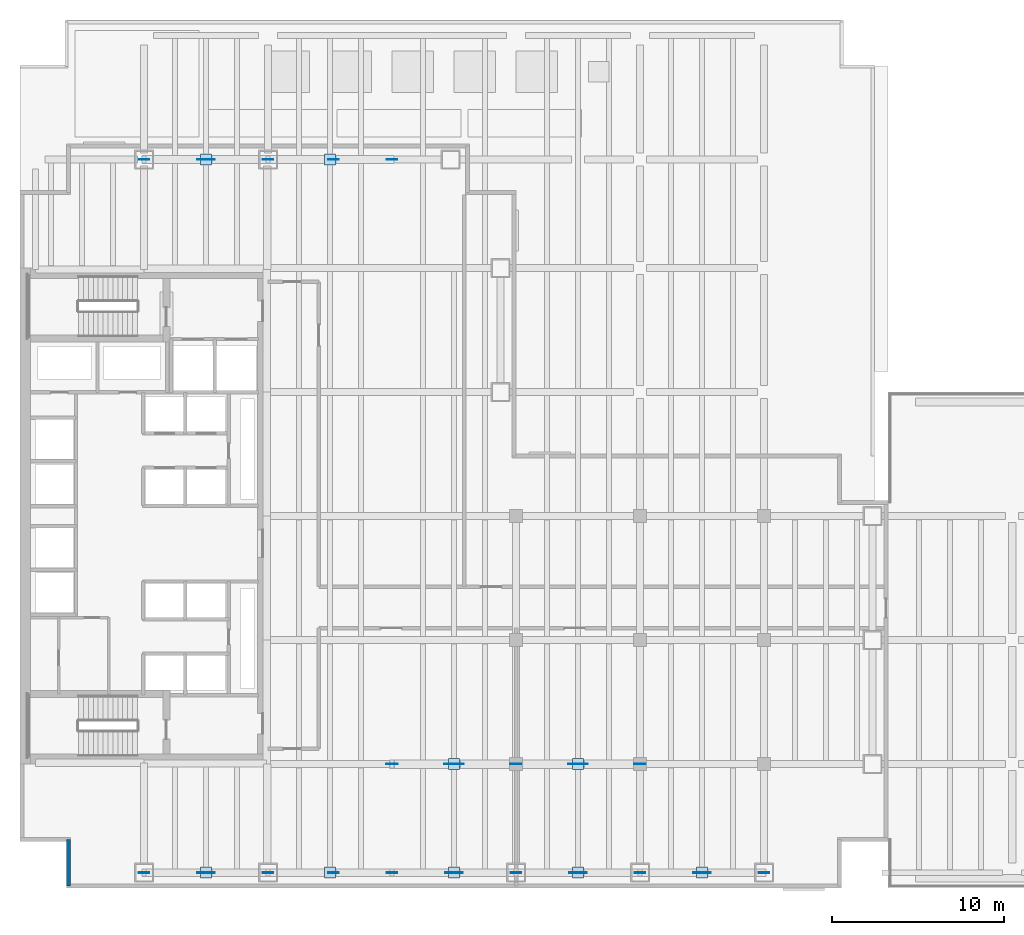
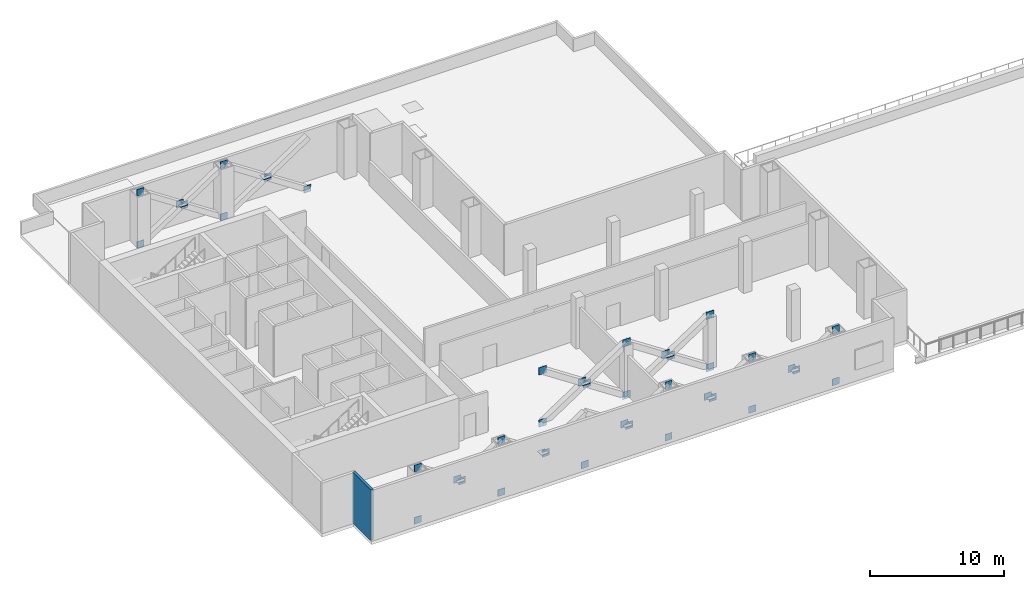
# One storey, part 6 of 12: 47 plates, 1 wall.
"""IFC4 building model written with IfcOpenShell, lengths in metres."""

from ifc_helpers import new_model, si_unit, direction, frame, frame_2d, origin, origin_2d, place, context, subcontext, project, spatial, rectangle, extrude, material, layer, layer_set, type_object, element, save


model = new_model("IFC4")

# Units and contexts
model_context = context("Model", 3, precision=1e-05, world=origin(), true_north=direction((0.0, 1.0)))
body_context = subcontext(model_context, "Body", "Model", "MODEL_VIEW")
ifc_project = project(units=[si_unit("LENGTHUNIT", "METRE"), si_unit("AREAUNIT", "SQUARE_METRE"), si_unit("VOLUMEUNIT", "CUBIC_METRE"), si_unit("PLANEANGLEUNIT", "RADIAN"), si_unit("MASSUNIT", "GRAM", prefix="KILO")], contexts=[model_context])

# Site, building, storey
site_placement = place(None, origin())
site = spatial("IfcSite", under=ifc_project, at=site_placement, CompositionType="ELEMENT")
building_placement = place(site_placement, origin())
building = spatial("IfcBuilding", under=site, at=building_placement, Name="Cobrela Telecom Tower", CompositionType="ELEMENT")
storey_placement = place(building_placement, frame((0.0, 0.0, 26.25)))
storey = spatial("IfcBuildingStorey", under=building, at=storey_placement, Name="L06", CompositionType="ELEMENT", Elevation=26.25)

# Plates
ifc_material_1 = material(Name="Steel ASTM A572 Grade 50", Category="steel")
ifc_layer_1 = layer(ifc_material_1, 0.0419921875)
ifc_layer_set_1 = layer_set([ifc_layer_1], Name="Steel ASTM A572 Grade 50")
plate_type_1 = type_object("IfcPlateType", Name="PLT-NODE-ND6", PredefinedType="USERDEFINED", material=ifc_layer_set_1)
for number, where, z_axis, x_axis, name in (
    (1, (21.60009765625, 7.199951171875, -0.4697265625), (0.0, 0.0, 1.0), (1.0, 0.0, 0.0), "Steel node plate PLT-MBR-OUT-L06-01-A-0"),
    (2, (28.800048828125, 7.199951171875, 4.2900390625), (0.0, 0.0, 1.0), (1.0, 0.0, 0.0), "Steel node plate PLT-MBR-OUT-L06-01-A-1"),
    (3, (28.800048828125, 7.199951171875, -0.4697265625), (0.0, 0.0, 1.0), (-1.0, 0.0, 0.0), "Steel node plate PLT-MBR-OUT-L06-01-B1-0"),
    (4, (25.43359375, 7.199951171875, 1.755859375), (0.0, 0.0, 1.0), (-1.0, 0.0, 0.0), "Steel node plate PLT-MBR-OUT-L06-01-B1-1"),
    (5, (24.96630859375, 7.199951171875, 2.064453125), (0.0, 0.0, 1.0), (-1.0, 0.0, 0.0), "Steel node plate PLT-MBR-OUT-L06-01-B2-0"),
    (6, (21.60009765625, 7.199951171875, 4.2900390625), (0.0, 0.0, 1.0), (-1.0, 0.0, 0.0), "Steel node plate PLT-MBR-OUT-L06-01-B2-1"),
):
    element("IfcPlate", number, at=place(storey_placement, frame(where, z_axis=z_axis, x_axis=x_axis)), inside=storey, type_object=plate_type_1, Name=name, ObjectType="GUSSET PLATE", PredefinedType="USERDEFINED", context=body_context, shape_type="SweptSolid", body=[
        extrude(rectangle(XDim=0.659912109375, YDim=0.044921875, at=origin_2d()), origin(), (0.0, 0.0, 1.0), 0.659912109375),
    ])
plate_1_placement = place(storey_placement, frame((25.199951171875, 7.199951171875, 2.217529296875), z_axis=(0.0, 0.0, 1.0), x_axis=(1.0, 0.0, 0.0)))
element("IfcPlate", 7, at=plate_1_placement, inside=storey, type_object=plate_type_1, Name="L06 Outrigger Truss Brace 01 Central X-Crossing Gusset Plate", ObjectType="GUSSET PLATE", PredefinedType="USERDEFINED", context=body_context, shape_type="SweptSolid", body=[
    extrude(rectangle(XDim=0.64990234375, YDim=0.64990234375, at=origin_2d()), origin(), (0.0, 0.0, 1.0), 0.044921875),
])
for number, where, z_axis, x_axis, name in (
    (8, (36.0, 7.199951171875, 4.2900390625), (0.0, 0.0, 1.0), (1.0, 0.0, 0.0), "Steel node plate PLT-MBR-OUT-L06-02-A-1"),
    (9, (36.0, 7.199951171875, -0.4697265625), (0.0, 0.0, 1.0), (-1.0, 0.0, 0.0), "Steel node plate PLT-MBR-OUT-L06-02-B1-0"),
    (10, (32.633544921875, 7.199951171875, 1.755859375), (0.0, 0.0, 1.0), (-1.0, 0.0, 0.0), "Steel node plate PLT-MBR-OUT-L06-02-B1-1"),
    (11, (32.16650390625, 7.199951171875, 2.064453125), (0.0, 0.0, 1.0), (-1.0, 0.0, 0.0), "Steel node plate PLT-MBR-OUT-L06-02-B2-0"),
):
    element("IfcPlate", number, at=place(storey_placement, frame(where, z_axis=z_axis, x_axis=x_axis)), inside=storey, type_object=plate_type_1, Name=name, ObjectType="GUSSET PLATE", PredefinedType="USERDEFINED", context=body_context, shape_type="SweptSolid", body=[
        extrude(rectangle(XDim=0.659912109375, YDim=0.044921875, at=origin_2d()), origin(), (0.0, 0.0, 1.0), 0.659912109375),
    ])
plate_2_placement = place(storey_placement, frame((32.39990234375, 7.199951171875, 2.217529296875), z_axis=(0.0, 0.0, 1.0), x_axis=(1.0, 0.0, 0.0)))
element("IfcPlate", 12, at=plate_2_placement, inside=storey, type_object=plate_type_1, Name="L06 Outrigger Truss Brace 02 Central X-Crossing Gusset Plate", ObjectType="GUSSET PLATE", PredefinedType="USERDEFINED", context=body_context, shape_type="SweptSolid", body=[
    extrude(rectangle(XDim=0.64990234375, YDim=0.64990234375, at=origin_2d()), origin(), (0.0, 0.0, 1.0), 0.044921875),
])
ifc_layer_2 = layer(ifc_material_1, 0.0439453125)
ifc_layer_set_2 = layer_set([ifc_layer_2], Name="Steel ASTM A572 Grade 50")
plate_type_2 = type_object("IfcPlateType", Name="PLT-NODE-ND7", PredefinedType="USERDEFINED", material=ifc_layer_set_2)
for number, where, z_axis, x_axis, name in (
    (13, (7.199951171875, 0.89990234375, -0.44482421875), (0.0, 0.0, 1.0), (1.0, 0.0, 0.0), "Steel node plate PLT-MBR-BELT-L06-S03-A-0"),
    (14, (14.39990234375, 0.89990234375, 4.31494140625), (0.0, 0.0, 1.0), (1.0, 0.0, 0.0), "Steel node plate PLT-MBR-BELT-L06-S03-A-1"),
    (15, (14.39990234375, 0.89990234375, -0.44482421875), (0.0, 0.0, 1.0), (-1.0, 0.0, 0.0), "Steel node plate PLT-MBR-BELT-L06-S03-B1-0"),
    (16, (11.01025390625, 0.89990234375, 1.7958984375), (0.0, 0.0, 1.0), (-1.0, 0.0, 0.0), "Steel node plate PLT-MBR-BELT-L06-S03-B1-1"),
    (17, (10.58984375, 0.89990234375, 2.07373046875), (0.0, 0.0, 1.0), (-1.0, 0.0, 0.0), "Steel node plate PLT-MBR-BELT-L06-S03-B2-0"),
    (18, (7.199951171875, 0.89990234375, 4.31494140625), (0.0, 0.0, 1.0), (-1.0, 0.0, 0.0), "Steel node plate PLT-MBR-BELT-L06-S03-B2-1"),
):
    element("IfcPlate", number, at=place(storey_placement, frame(where, z_axis=z_axis, x_axis=x_axis)), inside=storey, type_object=plate_type_2, Name=name, ObjectType="GUSSET PLATE", PredefinedType="USERDEFINED", context=body_context, shape_type="SweptSolid", body=[
        extrude(rectangle(XDim=0.610107421875, YDim=0.044921875, at=origin_2d()), origin(), (0.0, 0.0, 1.0), 0.610107421875),
    ])
plate_3_placement = place(storey_placement, frame((10.800048828125, 0.89990234375, 2.217529296875), z_axis=(0.0, 0.0, 1.0), x_axis=(1.0, 0.0, 0.0)))
element("IfcPlate", 19, at=plate_3_placement, inside=storey, type_object=plate_type_2, Name="L06 South Perimeter Belt Truss Brace 03 Central X-Crossing Gusset Plate", ObjectType="GUSSET PLATE", PredefinedType="USERDEFINED", context=body_context, shape_type="SweptSolid", body=[
    extrude(rectangle(XDim=0.64990234375, YDim=0.64990234375, at=origin_2d()), origin(), (0.0, 0.0, 1.0), 0.044921875),
])
for number, where, z_axis, x_axis, name in (
    (20, (21.60009765625, 0.89990234375, -0.44482421875), (0.0, 0.0, 1.0), (-1.0, 0.0, 0.0), "Steel node plate PLT-MBR-BELT-L06-S04-B1-0"),
    (21, (18.210205078125, 0.89990234375, 1.7958984375), (0.0, 0.0, 1.0), (-1.0, 0.0, 0.0), "Steel node plate PLT-MBR-BELT-L06-S04-B1-1"),
):
    element("IfcPlate", number, at=place(storey_placement, frame(where, z_axis=z_axis, x_axis=x_axis)), inside=storey, type_object=plate_type_2, Name=name, ObjectType="GUSSET PLATE", PredefinedType="USERDEFINED", context=body_context, shape_type="SweptSolid", body=[
        extrude(rectangle(XDim=0.610107421875, YDim=0.044921875, at=origin_2d()), origin(), (0.0, 0.0, 1.0), 0.610107421875),
    ])
plate_4_placement = place(storey_placement, frame((18.0, 0.89990234375, 2.217529296875), z_axis=(0.0, 0.0, 1.0), x_axis=(1.0, 0.0, 0.0)))
element("IfcPlate", 22, at=plate_4_placement, inside=storey, type_object=plate_type_2, Name="L06 South Perimeter Belt Truss Brace 04 Central X-Crossing Gusset Plate", ObjectType="GUSSET PLATE", PredefinedType="USERDEFINED", context=body_context, shape_type="SweptSolid", body=[
    extrude(rectangle(XDim=0.64990234375, YDim=0.64990234375, at=origin_2d()), origin(), (0.0, 0.0, 1.0), 0.044921875),
])
for number, where, z_axis, x_axis, name in (
    (23, (28.800048828125, 0.89990234375, 4.31494140625), (0.0, 0.0, 1.0), (1.0, 0.0, 0.0), "Steel node plate PLT-MBR-BELT-L06-S05-A-1"),
    (24, (28.800048828125, 0.89990234375, -0.44482421875), (0.0, 0.0, 1.0), (-1.0, 0.0, 0.0), "Steel node plate PLT-MBR-BELT-L06-S05-B1-0"),
    (25, (25.41015625, 0.89990234375, 1.7958984375), (0.0, 0.0, 1.0), (-1.0, 0.0, 0.0), "Steel node plate PLT-MBR-BELT-L06-S05-B1-1"),
    (26, (24.98974609375, 0.89990234375, 2.07373046875), (0.0, 0.0, 1.0), (-1.0, 0.0, 0.0), "Steel node plate PLT-MBR-BELT-L06-S05-B2-0"),
):
    element("IfcPlate", number, at=place(storey_placement, frame(where, z_axis=z_axis, x_axis=x_axis)), inside=storey, type_object=plate_type_2, Name=name, ObjectType="GUSSET PLATE", PredefinedType="USERDEFINED", context=body_context, shape_type="SweptSolid", body=[
        extrude(rectangle(XDim=0.610107421875, YDim=0.044921875, at=origin_2d()), origin(), (0.0, 0.0, 1.0), 0.610107421875),
    ])
plate_5_placement = place(storey_placement, frame((25.199951171875, 0.89990234375, 2.217529296875), z_axis=(0.0, 0.0, 1.0), x_axis=(1.0, 0.0, 0.0)))
element("IfcPlate", 27, at=plate_5_placement, inside=storey, type_object=plate_type_2, Name="L06 South Perimeter Belt Truss Brace 05 Central X-Crossing Gusset Plate", ObjectType="GUSSET PLATE", PredefinedType="USERDEFINED", context=body_context, shape_type="SweptSolid", body=[
    extrude(rectangle(XDim=0.64990234375, YDim=0.64990234375, at=origin_2d()), origin(), (0.0, 0.0, 1.0), 0.044921875),
])
for number, where, z_axis, x_axis, name in (
    (28, (36.0, 0.89990234375, 4.31494140625), (0.0, 0.0, 1.0), (1.0, 0.0, 0.0), "Steel node plate PLT-MBR-BELT-L06-S06-A-1"),
    (29, (36.0, 0.89990234375, -0.44482421875), (0.0, 0.0, 1.0), (-1.0, 0.0, 0.0), "Steel node plate PLT-MBR-BELT-L06-S06-B1-0"),
    (30, (32.610107421875, 0.89990234375, 1.7958984375), (0.0, 0.0, 1.0), (-1.0, 0.0, 0.0), "Steel node plate PLT-MBR-BELT-L06-S06-B1-1"),
    (31, (32.189697265625, 0.89990234375, 2.07373046875), (0.0, 0.0, 1.0), (-1.0, 0.0, 0.0), "Steel node plate PLT-MBR-BELT-L06-S06-B2-0"),
):
    element("IfcPlate", number, at=place(storey_placement, frame(where, z_axis=z_axis, x_axis=x_axis)), inside=storey, type_object=plate_type_2, Name=name, ObjectType="GUSSET PLATE", PredefinedType="USERDEFINED", context=body_context, shape_type="SweptSolid", body=[
        extrude(rectangle(XDim=0.610107421875, YDim=0.044921875, at=origin_2d()), origin(), (0.0, 0.0, 1.0), 0.610107421875),
    ])
plate_6_placement = place(storey_placement, frame((32.39990234375, 0.89990234375, 2.217529296875), z_axis=(0.0, 0.0, 1.0), x_axis=(1.0, 0.0, 0.0)))
element("IfcPlate", 32, at=plate_6_placement, inside=storey, type_object=plate_type_2, Name="L06 South Perimeter Belt Truss Brace 06 Central X-Crossing Gusset Plate", ObjectType="GUSSET PLATE", PredefinedType="USERDEFINED", context=body_context, shape_type="SweptSolid", body=[
    extrude(rectangle(XDim=0.64990234375, YDim=0.64990234375, at=origin_2d()), origin(), (0.0, 0.0, 1.0), 0.044921875),
])
for number, where, z_axis, x_axis, name in (
    (33, (43.199951171875, 0.89990234375, 4.31494140625), (0.0, 0.0, 1.0), (1.0, 0.0, 0.0), "Steel node plate PLT-MBR-BELT-L06-S07-A-1"),
    (34, (43.199951171875, 0.89990234375, -0.44482421875), (0.0, 0.0, 1.0), (-1.0, 0.0, 0.0), "Steel node plate PLT-MBR-BELT-L06-S07-B1-0"),
    (35, (39.810302734375, 0.89990234375, 1.7958984375), (0.0, 0.0, 1.0), (-1.0, 0.0, 0.0), "Steel node plate PLT-MBR-BELT-L06-S07-B1-1"),
    (36, (39.389892578125, 0.89990234375, 2.07373046875), (0.0, 0.0, 1.0), (-1.0, 0.0, 0.0), "Steel node plate PLT-MBR-BELT-L06-S07-B2-0"),
):
    element("IfcPlate", number, at=place(storey_placement, frame(where, z_axis=z_axis, x_axis=x_axis)), inside=storey, type_object=plate_type_2, Name=name, ObjectType="GUSSET PLATE", PredefinedType="USERDEFINED", context=body_context, shape_type="SweptSolid", body=[
        extrude(rectangle(XDim=0.610107421875, YDim=0.044921875, at=origin_2d()), origin(), (0.0, 0.0, 1.0), 0.610107421875),
    ])
plate_7_placement = place(storey_placement, frame((39.60009765625, 0.89990234375, 2.217529296875), z_axis=(0.0, 0.0, 1.0), x_axis=(1.0, 0.0, 0.0)))
element("IfcPlate", 37, at=plate_7_placement, inside=storey, type_object=plate_type_2, Name="L06 South Perimeter Belt Truss Brace 07 Central X-Crossing Gusset Plate", ObjectType="GUSSET PLATE", PredefinedType="USERDEFINED", context=body_context, shape_type="SweptSolid", body=[
    extrude(rectangle(XDim=0.64990234375, YDim=0.64990234375, at=origin_2d()), origin(), (0.0, 0.0, 1.0), 0.044921875),
])
for number, where, z_axis, x_axis, name in (
    (38, (7.199951171875, 42.300048828125, -0.44482421875), (0.0, 0.0, 1.0), (1.0, 0.0, 0.0), "Steel node plate PLT-MBR-BELT-L06-N08-A-0"),
    (39, (14.39990234375, 42.300048828125, 4.31494140625), (0.0, 0.0, 1.0), (1.0, 0.0, 0.0), "Steel node plate PLT-MBR-BELT-L06-N08-A-1"),
    (40, (14.39990234375, 42.300048828125, -0.44482421875), (0.0, 0.0, 1.0), (-1.0, 0.0, 0.0), "Steel node plate PLT-MBR-BELT-L06-N08-B1-0"),
    (41, (11.01025390625, 42.300048828125, 1.7958984375), (0.0, 0.0, 1.0), (-1.0, 0.0, 0.0), "Steel node plate PLT-MBR-BELT-L06-N08-B1-1"),
    (42, (10.58984375, 42.300048828125, 2.07373046875), (0.0, 0.0, 1.0), (-1.0, 0.0, 0.0), "Steel node plate PLT-MBR-BELT-L06-N08-B2-0"),
    (43, (7.199951171875, 42.300048828125, 4.31494140625), (0.0, 0.0, 1.0), (-1.0, 0.0, 0.0), "Steel node plate PLT-MBR-BELT-L06-N08-B2-1"),
):
    element("IfcPlate", number, at=place(storey_placement, frame(where, z_axis=z_axis, x_axis=x_axis)), inside=storey, type_object=plate_type_2, Name=name, ObjectType="GUSSET PLATE", PredefinedType="USERDEFINED", context=body_context, shape_type="SweptSolid", body=[
        extrude(rectangle(XDim=0.610107421875, YDim=0.044921875, at=origin_2d()), origin(), (0.0, 0.0, 1.0), 0.610107421875),
    ])
plate_8_placement = place(storey_placement, frame((10.800048828125, 42.300048828125, 2.217529296875), z_axis=(0.0, 0.0, 1.0), x_axis=(1.0, 0.0, 0.0)))
element("IfcPlate", 44, at=plate_8_placement, inside=storey, type_object=plate_type_2, Name="L06 North Perimeter Belt Truss Brace 08 Central X-Crossing Gusset Plate", ObjectType="GUSSET PLATE", PredefinedType="USERDEFINED", context=body_context, shape_type="SweptSolid", body=[
    extrude(rectangle(XDim=0.64990234375, YDim=0.64990234375, at=origin_2d()), origin(), (0.0, 0.0, 1.0), 0.044921875),
])
for number, where, z_axis, x_axis, name in (
    (45, (21.60009765625, 42.300048828125, -0.44482421875), (0.0, 0.0, 1.0), (-1.0, 0.0, 0.0), "Steel node plate PLT-MBR-BELT-L06-N09-B1-0"),
    (46, (18.210205078125, 42.300048828125, 1.7958984375), (0.0, 0.0, 1.0), (-1.0, 0.0, 0.0), "Steel node plate PLT-MBR-BELT-L06-N09-B1-1"),
):
    element("IfcPlate", number, at=place(storey_placement, frame(where, z_axis=z_axis, x_axis=x_axis)), inside=storey, type_object=plate_type_2, Name=name, ObjectType="GUSSET PLATE", PredefinedType="USERDEFINED", context=body_context, shape_type="SweptSolid", body=[
        extrude(rectangle(XDim=0.610107421875, YDim=0.044921875, at=origin_2d()), origin(), (0.0, 0.0, 1.0), 0.610107421875),
    ])
plate_9_placement = place(storey_placement, frame((18.0, 42.300048828125, 2.217529296875), z_axis=(0.0, 0.0, 1.0), x_axis=(1.0, 0.0, 0.0)))
element("IfcPlate", 47, at=plate_9_placement, inside=storey, type_object=plate_type_2, Name="L06 North Perimeter Belt Truss Brace 09 Central X-Crossing Gusset Plate", ObjectType="GUSSET PLATE", PredefinedType="USERDEFINED", context=body_context, shape_type="SweptSolid", body=[
    extrude(rectangle(XDim=0.64990234375, YDim=0.64990234375, at=origin_2d()), origin(), (0.0, 0.0, 1.0), 0.044921875),
])

# Wall
ifc_material_2 = material(Name="Concrete C40/50", Category="concrete")
ifc_layer_3 = layer(ifc_material_2, 0.239990234375)
ifc_layer_set_3 = layer_set([ifc_layer_3], Name="Concrete C40/50")
wall_type = type_object("IfcWallType", Name="WALL-EXT-300", PredefinedType="STANDARD", material=ifc_layer_set_3)
wall_placement = place(storey_placement, frame((2.820068359375, 0.1201171875, 0.0), z_axis=(0.0, 0.0, 1.0), x_axis=(0.0, 1.0, 0.0)))
element("IfcWall", 48, at=wall_placement, inside=storey, type_object=wall_type, Name="L06 Plant Acoustic Exterior Wall 01", PredefinedType="STANDARD", context=body_context, shape_type="SweptSolid", body=[
    extrude(rectangle(XDim=2.699951171875, YDim=0.239990234375, at=frame_2d((1.35009765625, 0.0))), origin(), (0.0, 0.0, 1.0), 4.6201171875),
])

save(model, "model.ifc")
